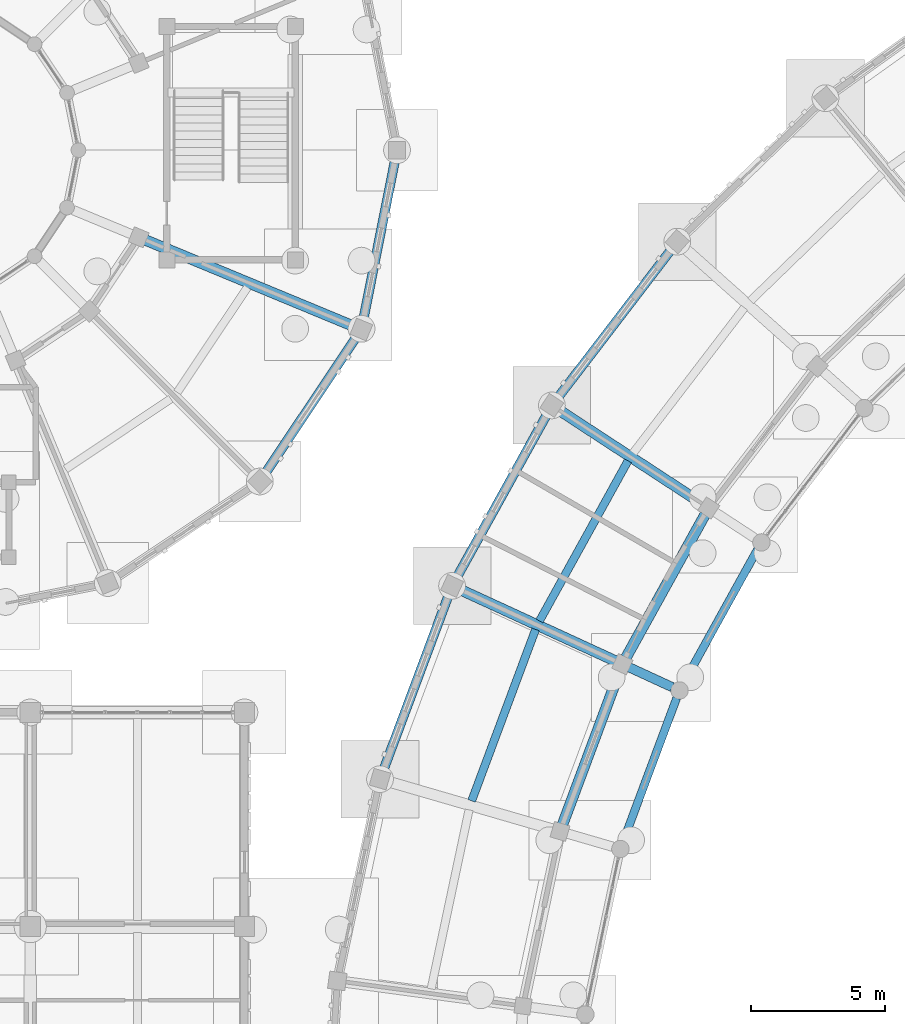
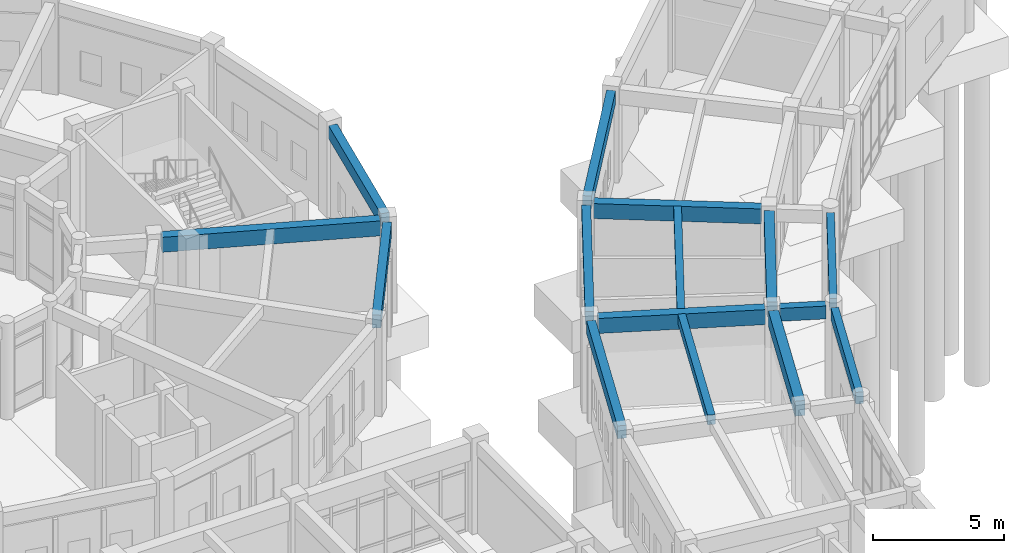
# One storey, part 66 of 153: 15 beams.
"""IFC4 building model written with IfcOpenShell, lengths in metres."""

import ifcopenshell
import ifcopenshell.guid

model = None  # the IFC model being written
_history = None  # IfcOwnerHistory: only IFC2X3 demands one
_inside = {}  # id of a spatial element -> (the spatial element, [elements in it])
_under = {}  # id of a project, library or spatial element -> (it, [spatial elements below it])
_declared = {}  # id of a project -> (the project, [libraries it declares])
_typed = {}  # id of a type object -> (the type object, [elements of that type])
_made_of = {}  # id of a material, layer set ... -> (it, [elements and type objects made of it])


def new_model(schema):
    """Start an empty IFC model of exactly this schema.

    Asked for "IFC4X3", IfcOpenShell would pick the latest addendum, in which some entities
    have other attributes; the version numbers below select the first issue.
    IFC2X3 requires an IfcOwnerHistory on every rooted entity: one is made here for all.
    """
    global model, _history
    if schema == "IFC4X3":
        model = ifcopenshell.file(schema_version=(4, 3, 0, 0))
    else:
        model = ifcopenshell.file(schema=schema)
    _inside.clear()
    _under.clear()
    _declared.clear()
    _typed.clear()
    _made_of.clear()
    _history = None
    if model.schema == "IFC2X3":
        org = make("IfcOrganization", Name="unknown")
        user = make(
            "IfcPersonAndOrganization",
            ThePerson=make("IfcPerson", FamilyName="unknown"),
            TheOrganization=org,
        )
        app = make(
            "IfcApplication",
            ApplicationDeveloper=org,
            Version="unknown",
            ApplicationFullName="unknown",
            ApplicationIdentifier="unknown",
        )
        _history = make(
            "IfcOwnerHistory",
            OwningUser=user,
            OwningApplication=app,
            ChangeAction="ADDED",
            CreationDate=0,
        )
    return model


def make(cls, **values):
    """One entity of the class cls with the attributes given. An attribute that is None is left unset."""
    return model.create_entity(
        cls, **{name: value for name, value in values.items() if value is not None}
    )


def rooted(cls, **values):
    """An entity with a GlobalId (a new one), such as an element, a storey or a relation."""
    return make(cls, GlobalId=ifcopenshell.guid.new(), OwnerHistory=_history, **values)


def si_unit(unit_type, name, prefix=None):
    """IfcSIUnit, for example si_unit("LENGTHUNIT", "METRE", prefix="MILLI")."""
    return make("IfcSIUnit", UnitType=unit_type, Prefix=prefix, Name=name)


def assignment(units):
    """IfcUnitAssignment: the units of a project."""
    return None if units is None else make("IfcUnitAssignment", Units=units)


def point(xyz):
    """IfcCartesianPoint."""
    return None if xyz is None else make("IfcCartesianPoint", Coordinates=xyz)


def direction(xyz):
    """IfcDirection."""
    return None if xyz is None else make("IfcDirection", DirectionRatios=xyz)


def frame(location, z_axis=None, x_axis=None):
    """IfcAxis2Placement3D, a coordinate frame: its origin and axes. An axis left out is left unset."""
    return make(
        "IfcAxis2Placement3D",
        Location=point(location),
        Axis=direction(z_axis),
        RefDirection=direction(x_axis),
    )


def frame_2d(location, x_axis=None):
    """IfcAxis2Placement2D, a coordinate frame in the plane: its origin and x axis."""
    return make(
        "IfcAxis2Placement2D", Location=point(location), RefDirection=direction(x_axis)
    )


def origin():
    """The frame at (0, 0, 0) with its axes left unset."""
    return frame((0.0, 0.0, 0.0))


def origin_2d():
    """The frame at (0, 0) in the plane with its x axis left unset."""
    return frame_2d((0.0, 0.0))


def place(relative_to, where):
    """IfcLocalPlacement: puts the frame where relative to a parent placement (None: the world)."""
    return make(
        "IfcLocalPlacement", PlacementRelTo=relative_to, RelativePlacement=where
    )


def context(
    kind, dimensions, precision=None, world=None, true_north=None, identifier=None
):
    """IfcGeometricRepresentationContext, for example the 3D "Model" context."""
    return make(
        "IfcGeometricRepresentationContext",
        ContextIdentifier=identifier,
        ContextType=kind,
        CoordinateSpaceDimension=dimensions,
        Precision=precision,
        WorldCoordinateSystem=world,
        TrueNorth=true_north,
    )


def subcontext(parent, identifier, kind, view, scale=None):
    """IfcGeometricRepresentationSubContext, for example "Body" below "Model"."""
    return make(
        "IfcGeometricRepresentationSubContext",
        ContextIdentifier=identifier,
        ContextType=kind,
        ParentContext=parent,
        TargetScale=scale,
        TargetView=view,
    )


def project(units=None, contexts=None):
    """IfcProject with its units and contexts."""
    return rooted(
        "IfcProject",
        Name="project",
        RepresentationContexts=contexts,
        UnitsInContext=assignment(units),
    )


def spatial(cls, under=None, at=None, **own):
    """A site, building, storey or space (cls), placed at a placement, below another one or the project."""
    s = rooted(cls, ObjectPlacement=at, **own)
    if under is not None:
        _under.setdefault(under.id(), (under, []))[1].append(s)
    return s


def profile(cls, at=None, kind="AREA", **sizes):
    """A parametric profile (cls). Its sizes go by their IFC names, for example OverallWidth=200.0."""
    return make(cls, ProfileType=kind, Position=at, **sizes)


def rectangle(**sizes):
    """IfcRectangleProfileDef."""
    return profile("IfcRectangleProfileDef", **sizes)


def extrude(swept, where, along, depth):
    """IfcExtrudedAreaSolid: the profile swept, set in the frame where, extruded along a direction by depth."""
    return make(
        "IfcExtrudedAreaSolid",
        SweptArea=swept,
        Position=where,
        ExtrudedDirection=direction(along),
        Depth=depth,
    )


def shape(context_of_items, identifier, shape_type, items):
    """IfcShapeRepresentation: the items that make up one representation, for example the "Body"."""
    return make(
        "IfcShapeRepresentation",
        ContextOfItems=context_of_items,
        RepresentationIdentifier=identifier,
        RepresentationType=shape_type,
        Items=items,
    )


def material(Name=None, Category=None):
    """IfcMaterial."""
    return make("IfcMaterial", Name=Name, Category=Category)


def material_profile(
    of_material, cross_section, Name=None, Category=None, Priority=None
):
    """IfcMaterialProfile: a cross section and its material."""
    return make(
        "IfcMaterialProfile",
        Name=Name,
        Material=of_material,
        Profile=cross_section,
        Priority=Priority,
        Category=Category,
    )


def profile_set(profiles, Name=None, composite=None):
    """IfcMaterialProfileSet."""
    return make(
        "IfcMaterialProfileSet",
        Name=Name,
        MaterialProfiles=profiles,
        CompositeProfile=composite,
    )


def made_of(thing, what):
    """Note that an element or type object is made of a material, layer set ...; save() writes the relation."""
    if what is not None:
        _made_of.setdefault(what.id(), (what, []))[1].append(thing)
    return thing


def type_object(cls, material=None, **own):
    """A type object (cls), such as IfcWallType, which elements share."""
    return made_of(rooted(cls, **own), material)


def element(
    cls,
    number,
    at=None,
    inside=None,
    cuts=None,
    type_object=None,
    material=None,
    context=None,
    identifier="Body",
    shape_type=None,
    held_by="IfcProductDefinitionShape",
    body=None,
    shapes=None,
    **own,
):
    """One element of the class cls, such as IfcWall. Its Tag is "e" and its number.

    at: its placement. inside: the storey or other place that contains it. cuts: it is an
    opening in that element (IfcRelVoidsElement). A single representation is given by context,
    identifier, shape_type and body (its items); several are given by shapes. held_by: the class
    of the entity that holds the representations. save() writes the other relations.
    """
    e = rooted(cls, Tag="e%d" % number, ObjectPlacement=at, **own)
    if body is not None:
        shapes = [shape(context, identifier, shape_type, body)]
    if shapes is not None:
        e.Representation = make(held_by, Representations=shapes)
    if inside is not None:
        _inside.setdefault(inside.id(), (inside, []))[1].append(e)
    if cuts is not None:
        rooted(
            "IfcRelVoidsElement", RelatingBuildingElement=cuts, RelatedOpeningElement=e
        )
    if type_object is not None:
        _typed.setdefault(type_object.id(), (type_object, []))[1].append(e)
    return made_of(e, material)


def aggregate(whole, parts):
    """IfcRelAggregates: a whole, such as a stair, and the parts it consists of."""
    return rooted("IfcRelAggregates", RelatingObject=whole, RelatedObjects=parts)


def save(model, path):
    """Write the relations noted so far, then the file.

    IfcRelAggregates (storeys below a building ...), IfcRelContainedInSpatialStructure (elements
    in a storey), IfcRelDefinesByType, IfcRelAssociatesMaterial and IfcRelDeclares: one each for
    every whole, place, type object, material and project.
    """
    for whole, parts in _under.values():
        aggregate(whole, parts)
    for where, things in _inside.values():
        rooted(
            "IfcRelContainedInSpatialStructure",
            RelatedElements=things,
            RelatingStructure=where,
        )
    for kind, things in _typed.values():
        rooted("IfcRelDefinesByType", RelatedObjects=things, RelatingType=kind)
    for what, things in _made_of.values():
        rooted("IfcRelAssociatesMaterial", RelatedObjects=things, RelatingMaterial=what)
    for by, libraries in _declared.values():
        rooted("IfcRelDeclares", RelatingContext=by, RelatedDefinitions=libraries)
    model.write(path)


model = new_model("IFC4")

# Units and contexts
model_context = context("Model", 3, precision=1e-05, world=origin(), true_north=direction((0.0, 1.0)))
body_context = subcontext(model_context, "Body", "Model", "MODEL_VIEW")
ifc_project = project(units=[si_unit("LENGTHUNIT", "METRE"), si_unit("AREAUNIT", "SQUARE_METRE"), si_unit("VOLUMEUNIT", "CUBIC_METRE"), si_unit("PLANEANGLEUNIT", "RADIAN"), si_unit("MASSUNIT", "GRAM", prefix="KILO")], contexts=[model_context])

# Site, building, storey
site_placement = place(None, origin())
site = spatial("IfcSite", under=ifc_project, at=site_placement, CompositionType="ELEMENT")
building_placement = place(site_placement, origin())
building = spatial("IfcBuilding", under=site, at=building_placement, Name="Celadon Cloister-Ring School", CompositionType="ELEMENT")
storey_placement = place(building_placement, origin())
storey = spatial("IfcBuildingStorey", under=building, at=storey_placement, Name="L00", CompositionType="ELEMENT", Elevation=0.0)

# Beams
ifc_material_1 = material(Name="Concrete C35/45", Category="concrete")
ifc_material_profile_1 = material_profile(ifc_material_1, rectangle(XDim=0.35009765625, YDim=0.60009765625, at=origin_2d()), Name="RC350X600")
ifc_profile_set_1 = profile_set([ifc_material_profile_1], Name="Concrete C35/45")
beam_type_1 = type_object("IfcBeamType", Name="BT-02", PredefinedType="BEAM", material=ifc_profile_set_1)
beam_1_placement = place(storey_placement, frame((46.365966796875, 77.68603515625, 3.97998046875), z_axis=(0.908405818114, -0.418089547365, 0.0), x_axis=(0.418089547365, 0.908405818114, 0.0)))
element("IfcBeam", 1, at=beam_1_placement, inside=storey, type_object=beam_type_1, Name="Beam 0010", PredefinedType="BEAM", context=body_context, shape_type="SweptSolid", body=[
    extrude(rectangle(XDim=0.35009765625, YDim=0.60009765625, at=origin_2d()), origin(), (0.0, 0.0, 1.0), 1.774658203125),
])
ifc_material_2 = material(Name="Concrete C35/45", Category="concrete")
ifc_material_profile_2 = material_profile(ifc_material_2, rectangle(XDim=0.39990234375, YDim=0.699951171875, at=origin_2d()), Name="RC400X700")
ifc_profile_set_2 = profile_set([ifc_material_profile_2], Name="Concrete C35/45")
beam_type_2 = type_object("IfcBeamType", Name="GT-03", PredefinedType="USERDEFINED", material=ifc_profile_set_2)
beam_2_placement = place(storey_placement, frame((43.735107421875, 87.302978515625, 3.929931640625), z_axis=(0.83687052952, -0.547400873968, 0.0), x_axis=(0.547400873968, 0.83687052952, 0.0)))
element("IfcBeam", 2, at=beam_2_placement, inside=storey, type_object=beam_type_2, Name="Beam 0007", ObjectType="GIRDER", PredefinedType="USERDEFINED", context=body_context, shape_type="SweptSolid", body=[
    extrude(rectangle(XDim=0.39990234375, YDim=0.699951171875, at=origin_2d()), origin(), (0.0, 0.0, 1.0), 6.425048828125),
])
beam_3_placement = place(storey_placement, frame((40.029052734375, 80.60107421875, 3.929931640625), z_axis=(0.90848583601, -0.417915644322, 0.0), x_axis=(0.417915644322, 0.90848583601, 0.0)))
element("IfcBeam", 3, at=beam_3_placement, inside=storey, type_object=beam_type_2, Name="Beam 0009", ObjectType="GIRDER", PredefinedType="USERDEFINED", context=body_context, shape_type="SweptSolid", body=[
    extrude(rectangle(XDim=0.39990234375, YDim=0.699951171875, at=origin_2d()), origin(), (0.0, 0.0, 1.0), 6.4248046875),
])
beam_4_placement = place(storey_placement, frame((49.208984375, 83.39404296875, 3.929931640625), z_axis=(-0.483967737304, -0.875085841074, 0.0), x_axis=(0.875085841074, -0.483967737304, 0.0)))
element("IfcBeam", 4, at=beam_4_placement, inside=storey, type_object=beam_type_2, Name="Beam 0082", ObjectType="GIRDER", PredefinedType="USERDEFINED", context=body_context, shape_type="SweptSolid", body=[
    extrude(rectangle(XDim=0.39990234375, YDim=0.699951171875, at=origin_2d()), origin(), (0.0, 0.0, 1.0), 6.115966796875),
])
beam_5_placement = place(storey_placement, frame((46.02001953125, 77.54296875, 3.929931640625), z_axis=(-0.349434130372, -0.936960932233, 0.0), x_axis=(0.936960932233, -0.349434130372, 0.0)))
element("IfcBeam", 5, at=beam_5_placement, inside=storey, type_object=beam_type_2, Name="Beam 0086", ObjectType="GIRDER", PredefinedType="USERDEFINED", context=body_context, shape_type="SweptSolid", body=[
    extrude(rectangle(XDim=0.39990234375, YDim=0.699951171875, at=origin_2d()), origin(), (0.0, 0.0, 1.0), 6.115478515625),
])
beam_6_placement = place(storey_placement, frame((36.091064453125, 90.41796875, 3.909912109375), z_axis=(-0.923887576717, 0.382664011358, 0.0), x_axis=(-0.382664011358, -0.923887576717, 0.0)))
element("IfcBeam", 6, at=beam_6_placement, inside=storey, type_object=beam_type_2, Name="Beam 0611", ObjectType="GIRDER", PredefinedType="USERDEFINED", context=body_context, shape_type="SweptSolid", body=[
    extrude(rectangle(XDim=0.39990234375, YDim=0.699951171875, at=origin_2d()), origin(), (0.0, 0.0, 1.0), 8.425537109375),
])
ifc_material_3 = material(Name="Concrete C35/45", Category="concrete")
ifc_material_profile_3 = material_profile(ifc_material_3, rectangle(XDim=0.300048828125, YDim=0.449951171875, at=origin_2d()), Name="RC300X450")
ifc_profile_set_3 = profile_set([ifc_material_profile_3], Name="Concrete C35/45")
beam_type_3 = type_object("IfcBeamType", Name="JT-01", PredefinedType="JOIST", material=ifc_profile_set_3)
beam_7_placement = place(storey_placement, frame((46.327880859375, 85.39794921875, 4.054931640625), z_axis=(-0.483807076249, -0.875174675692, 0.0), x_axis=(0.875174675692, -0.483807076249, 0.0)))
element("IfcBeam", 7, at=beam_7_placement, inside=storey, type_object=beam_type_3, Name="Beam 0084", PredefinedType="JOIST", context=body_context, shape_type="SweptSolid", body=[
    extrude(rectangle(XDim=0.300048828125, YDim=0.449951171875, at=origin_2d()), origin(), (0.0, 0.0, 1.0), 6.835205078125),
])
beam_8_placement = place(storey_placement, frame((42.875, 79.09912109375, 4.054931640625), z_axis=(-0.349380854663, -0.936980799374, 0.0), x_axis=(0.936980799374, -0.349380854663, 0.0)))
element("IfcBeam", 8, at=beam_8_placement, inside=storey, type_object=beam_type_3, Name="Beam 0088", PredefinedType="JOIST", context=body_context, shape_type="SweptSolid", body=[
    extrude(rectangle(XDim=0.300048828125, YDim=0.449951171875, at=origin_2d()), origin(), (0.0, 0.0, 1.0), 6.834716796875),
])
ifc_material_4 = material(Name="Concrete C35/45", Category="concrete")
ifc_material_profile_4 = material_profile(ifc_material_4, rectangle(XDim=0.35009765625, YDim=0.60009765625, at=origin_2d()), Name="RC350X600")
ifc_profile_set_4 = profile_set([ifc_material_profile_4], Name="Concrete C35/45")
beam_type_4 = type_object("IfcBeamType", Name="SP-01", PredefinedType="SPANDREL", material=ifc_profile_set_4)
beam_9_placement = place(storey_placement, frame((47.986083984375, 93.345947265625, 3.97998046875), z_axis=(-0.608023888407, -0.793918730807, 0.0), x_axis=(0.793918730807, -0.608023888407, 0.0)))
element("IfcBeam", 9, at=beam_9_placement, inside=storey, type_object=beam_type_4, Name="Beam 0077", PredefinedType="SPANDREL", context=body_context, shape_type="SweptSolid", body=[
    extrude(rectangle(XDim=0.35009765625, YDim=0.60009765625, at=origin_2d()), origin(), (0.0, 0.0, 1.0), 7.10498046875),
])
beam_10_placement = place(storey_placement, frame((43.339111328125, 87.2041015625, 3.97998046875), z_axis=(-0.484072024613, -0.875028156683, 0.0), x_axis=(0.875028156683, -0.484072024613, 0.0)))
element("IfcBeam", 10, at=beam_10_placement, inside=storey, type_object=beam_type_4, Name="Beam 0081", PredefinedType="SPANDREL", context=body_context, shape_type="SweptSolid", body=[
    extrude(rectangle(XDim=0.35009765625, YDim=0.60009765625, at=origin_2d()), origin(), (0.0, 0.0, 1.0), 7.102783203125),
])
beam_11_placement = place(storey_placement, frame((39.65087890625, 80.445068359375, 3.97998046875), z_axis=(-0.34926584062, -0.937023677703, 0.0), x_axis=(0.937023677703, -0.34926584062, 0.0)))
element("IfcBeam", 11, at=beam_11_placement, inside=storey, type_object=beam_type_4, Name="Beam 0085", PredefinedType="SPANDREL", context=body_context, shape_type="SweptSolid", body=[
    extrude(rectangle(XDim=0.35009765625, YDim=0.60009765625, at=origin_2d()), origin(), (0.0, 0.0, 1.0), 7.103271484375),
])
for number, where, z_axis, x_axis, name in (
    (12, (32.740966796875, 84.875, 3.9599609375), (0.555514042993, 0.831507154531, 0.0), (-0.831507154531, 0.555514042993, 0.0), "Beam 0654"),
    (13, (36.427001953125, 90.596923828125, 3.9599609375), (0.194925014897, 0.980818147552, 0.0), (-0.980818147552, 0.194925014897, 0.0), "Beam 0658"),
):
    element("IfcBeam", number, at=place(storey_placement, frame(where, z_axis=z_axis, x_axis=x_axis)), inside=storey, type_object=beam_type_4, Name=name, PredefinedType="SPANDREL", context=body_context, shape_type="SweptSolid", body=[
        extrude(rectangle(XDim=0.35009765625, YDim=0.60009765625, at=origin_2d()), origin(), (0.0, 0.0, 1.0), 6.228515625),
    ])
ifc_material_5 = material(Name="Concrete C35/45", Category="concrete")
ifc_material_profile_5 = material_profile(ifc_material_5, rectangle(XDim=0.300048828125, YDim=0.550048828125, at=origin_2d()), Name="RC300X550")
ifc_profile_set_5 = profile_set([ifc_material_profile_5], Name="Concrete C35/45")
beam_type_5 = type_object("IfcBeamType", Name="SP-02", PredefinedType="SPANDREL", material=ifc_profile_set_5)
for number, where, z_axis, x_axis, name in (
    (14, (51.1640625, 82.0859375, 4.0048828125), (-0.484054429949, -0.875037889949, 0.0), (0.875037889949, -0.484054429949, 0.0), "Beam 0083"),
    (15, (48.14599609375, 76.5380859375, 4.0048828125), (-0.34939642525, -0.936974993275, 0.0), (0.936974993275, -0.34939642525, 0.0), "Beam 0087"),
):
    element("IfcBeam", number, at=place(storey_placement, frame(where, z_axis=z_axis, x_axis=x_axis)), inside=storey, type_object=beam_type_5, Name=name, PredefinedType="SPANDREL", context=body_context, shape_type="SweptSolid", body=[
        extrude(rectangle(XDim=0.300048828125, YDim=0.550048828125, at=origin_2d()), origin(), (0.0, 0.0, 1.0), 5.718505859375),
    ])

save(model, "model.ifc")
